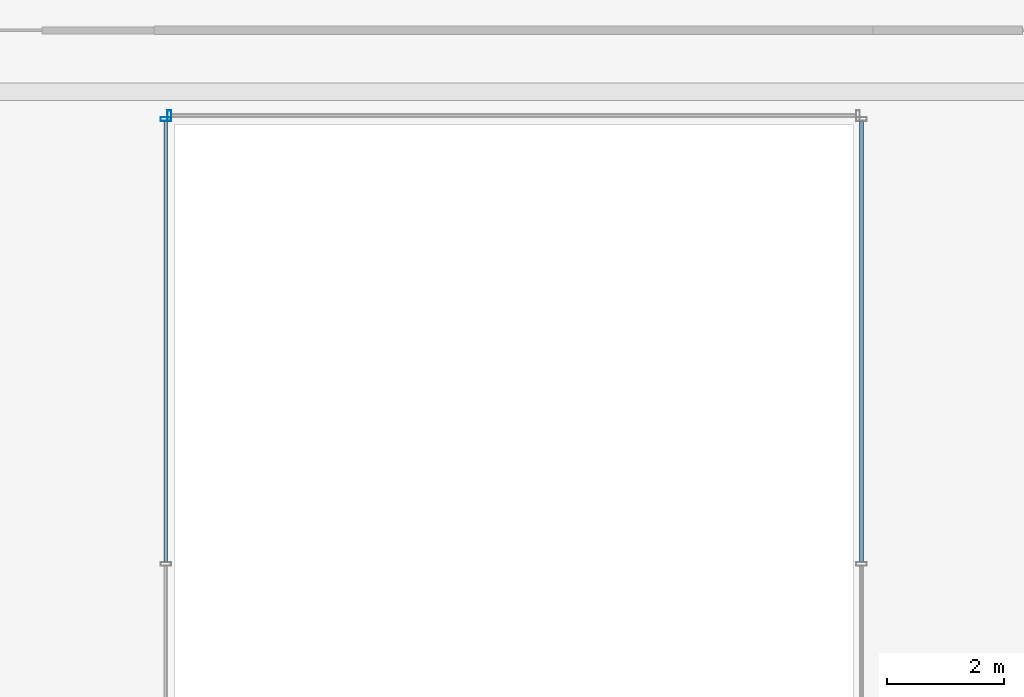
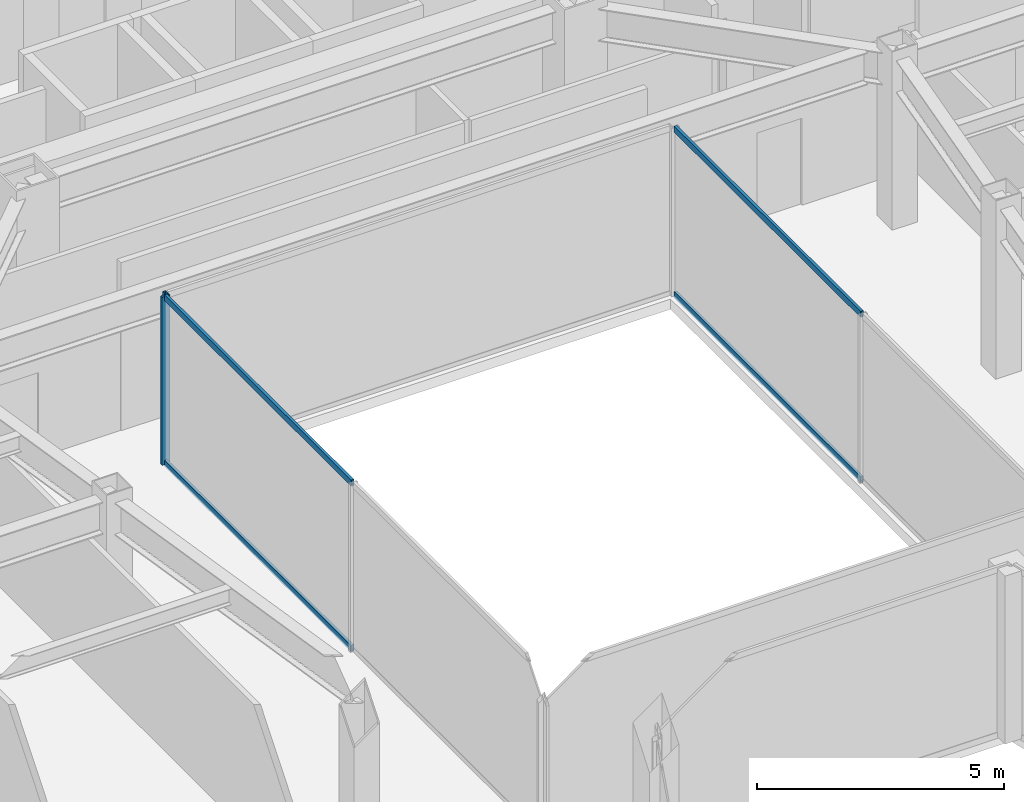
# One storey, part 12 of 37: 6 members, 3 elements without a shape of their own.
"""IFC4 building model written with IfcOpenShell, lengths in metres."""

from ifc_helpers import new_model, si_unit, direction, frame, origin, origin_2d, place, context, subcontext, project, spatial, hollow_rectangle, extrude, material, material_profile, profile_set, type_object, element, aggregate, save


model = new_model("IFC4")

# Units and contexts
model_context = context("Model", 3, precision=1e-05, world=origin(), true_north=direction((0.0, 1.0)))
body_context = subcontext(model_context, "Body", "Model", "MODEL_VIEW")
ifc_project = project(units=[si_unit("LENGTHUNIT", "METRE"), si_unit("AREAUNIT", "SQUARE_METRE"), si_unit("VOLUMEUNIT", "CUBIC_METRE"), si_unit("PLANEANGLEUNIT", "RADIAN"), si_unit("MASSUNIT", "GRAM", prefix="KILO")], contexts=[model_context])

# Site, building, storey
site_placement = place(None, origin())
site = spatial("IfcSite", under=ifc_project, at=site_placement, CompositionType="ELEMENT")
building_placement = place(site_placement, origin())
building = spatial("IfcBuilding", under=site, at=building_placement, Name="Saevonmaru Cultural Tower", CompositionType="ELEMENT")
storey_placement = place(building_placement, frame((0.0, 0.0, 114.800048828125)))
storey = spatial("IfcBuildingStorey", under=building, at=storey_placement, Name="L24", CompositionType="ELEMENT", Elevation=114.800048828125)

# Curtain wall, member
ifc_material = material(Name="Satin Bronze Anodised Aluminium", Category="aluminium")
curtain_wall_type = type_object("IfcCurtainWallType", Name="CW-ATR-GLZ", PredefinedType="NOTDEFINED", material=ifc_material)
curtain_wall_1_placement = place(storey_placement, origin())
curtain_wall_1 = element("IfcCurtainWall", 1, at=curtain_wall_1_placement, inside=storey, type_object=curtain_wall_type, Name="L24 Vertical Atrium Glazed Smoke Screen 3", PredefinedType="NOTDEFINED")
ifc_material_profile_1 = material_profile(ifc_material, hollow_rectangle(XDim=0.06494140625, YDim=0.179931640625, WallThickness=0.00390625, at=origin_2d()), Name="ALU-MULL-180x65x4")
ifc_profile_set_1 = profile_set([ifc_material_profile_1], Name="Satin Bronze Anodised Aluminium")
member_type_1 = type_object("IfcMemberType", Name="ML-CW-INT-180x65", PredefinedType="MULLION", material=ifc_profile_set_1)
member_1_placement = place(storey_placement, frame((24.110107421875, 37.590087890625, 0.0), z_axis=(0.0, 0.0, 1.0), x_axis=(-1.0, 0.0, 0.0)))
member_1 = element("IfcMember", 2, at=member_1_placement, type_object=member_type_1, Name="CW-ATR-L24-3 mullion 2", PredefinedType="MULLION", context=body_context, shape_type="SweptSolid", body=[
    extrude(hollow_rectangle(XDim=0.06494140625, YDim=0.179931640625, WallThickness=0.00390625, at=origin_2d()), origin(), (0.0, 0.0, 1.0), 4.14990234375),
])
aggregate(curtain_wall_1, [member_1])

curtain_wall_2_placement = place(storey_placement, origin())
curtain_wall_2 = element("IfcCurtainWall", 3, at=curtain_wall_2_placement, inside=storey, type_object=curtain_wall_type, Name="L24 Vertical Atrium Glazed Smoke Screen 4", PredefinedType="NOTDEFINED")
member_2_placement = place(storey_placement, frame((24.050048828125, 37.530029296875, 0.0), z_axis=(0.0, 0.0, 1.0), x_axis=(0.0, -1.0, 0.0)))
member_2 = element("IfcMember", 4, at=member_2_placement, type_object=member_type_1, Name="CW-ATR-L24-4 mullion 1", PredefinedType="MULLION", context=body_context, shape_type="SweptSolid", body=[
    extrude(hollow_rectangle(XDim=0.06494140625, YDim=0.179931640625, WallThickness=0.00390625, at=origin_2d()), origin(), (0.0, 0.0, 1.0), 4.14990234375),
])

# Curtain wall, members
curtain_wall_3_placement = place(storey_placement, origin())
curtain_wall_3 = element("IfcCurtainWall", 5, at=curtain_wall_3_placement, inside=storey, type_object=curtain_wall_type, Name="L24 Vertical Atrium Glazed Smoke Screen 2", PredefinedType="NOTDEFINED")
ifc_material_profile_2 = material_profile(ifc_material, hollow_rectangle(XDim=0.06494140625, YDim=0.14990234375, WallThickness=0.00390625, at=origin_2d()), Name="ALU-TRAN-150x65x4")
ifc_profile_set_2 = profile_set([ifc_material_profile_2], Name="Satin Bronze Anodised Aluminium")
member_type_2 = type_object("IfcMemberType", Name="TR-CW-INT-150x65", PredefinedType="USERDEFINED", material=ifc_profile_set_2)
member_3_placement = place(storey_placement, frame((35.949951171875, 29.952392578125, 0.032470703125), z_axis=(0.0, 1.0, 0.0), x_axis=(-1.0, 0.0, 0.0)))
member_3 = element("IfcMember", 6, at=member_3_placement, type_object=member_type_2, Name="CW-ATR-L24-2 transom 2.1", ObjectType="TRANSOM", PredefinedType="USERDEFINED", context=body_context, shape_type="SweptSolid", body=[
    extrude(hollow_rectangle(XDim=0.06494140625, YDim=0.14990234375, WallThickness=0.00390625, at=origin_2d()), origin(), (0.0, 0.0, 1.0), 7.545166015625),
])
member_4_placement = place(storey_placement, frame((35.949951171875, 29.952392578125, 4.117431640625), z_axis=(0.0, 1.0, 0.0), x_axis=(-1.0, 0.0, 0.0)))
member_4 = element("IfcMember", 7, at=member_4_placement, type_object=member_type_2, Name="CW-ATR-L24-2 transom 2.2", ObjectType="TRANSOM", PredefinedType="USERDEFINED", context=body_context, shape_type="SweptSolid", body=[
    extrude(hollow_rectangle(XDim=0.06494140625, YDim=0.14990234375, WallThickness=0.00390625, at=origin_2d()), origin(), (0.0, 0.0, 1.0), 7.545166015625),
])
aggregate(curtain_wall_3, [member_3, member_4])

# Member
member_5_placement = place(storey_placement, frame((24.050048828125, 37.49755859375, 0.032470703125), z_axis=(0.0, -1.0, 0.0), x_axis=(1.0, 0.0, 0.0)))
member_5 = element("IfcMember", 8, at=member_5_placement, type_object=member_type_2, Name="CW-ATR-L24-4 transom 1.1", ObjectType="TRANSOM", PredefinedType="USERDEFINED", context=body_context, shape_type="SweptSolid", body=[
    extrude(hollow_rectangle(XDim=0.06494140625, YDim=0.14990234375, WallThickness=0.00390625, at=origin_2d()), origin(), (0.0, 0.0, 1.0), 7.545166015625),
])

member_6_placement = place(storey_placement, frame((24.050048828125, 37.49755859375, 4.117431640625), z_axis=(0.0, -1.0, 0.0), x_axis=(1.0, 0.0, 0.0)))
member_6 = element("IfcMember", 9, at=member_6_placement, type_object=member_type_2, Name="CW-ATR-L24-4 transom 1.2", ObjectType="TRANSOM", PredefinedType="USERDEFINED", context=body_context, shape_type="SweptSolid", body=[
    extrude(hollow_rectangle(XDim=0.06494140625, YDim=0.14990234375, WallThickness=0.00390625, at=origin_2d()), origin(), (0.0, 0.0, 1.0), 7.545166015625),
])

aggregate(curtain_wall_2, [member_2, member_5, member_6])

save(model, "model.ifc")
